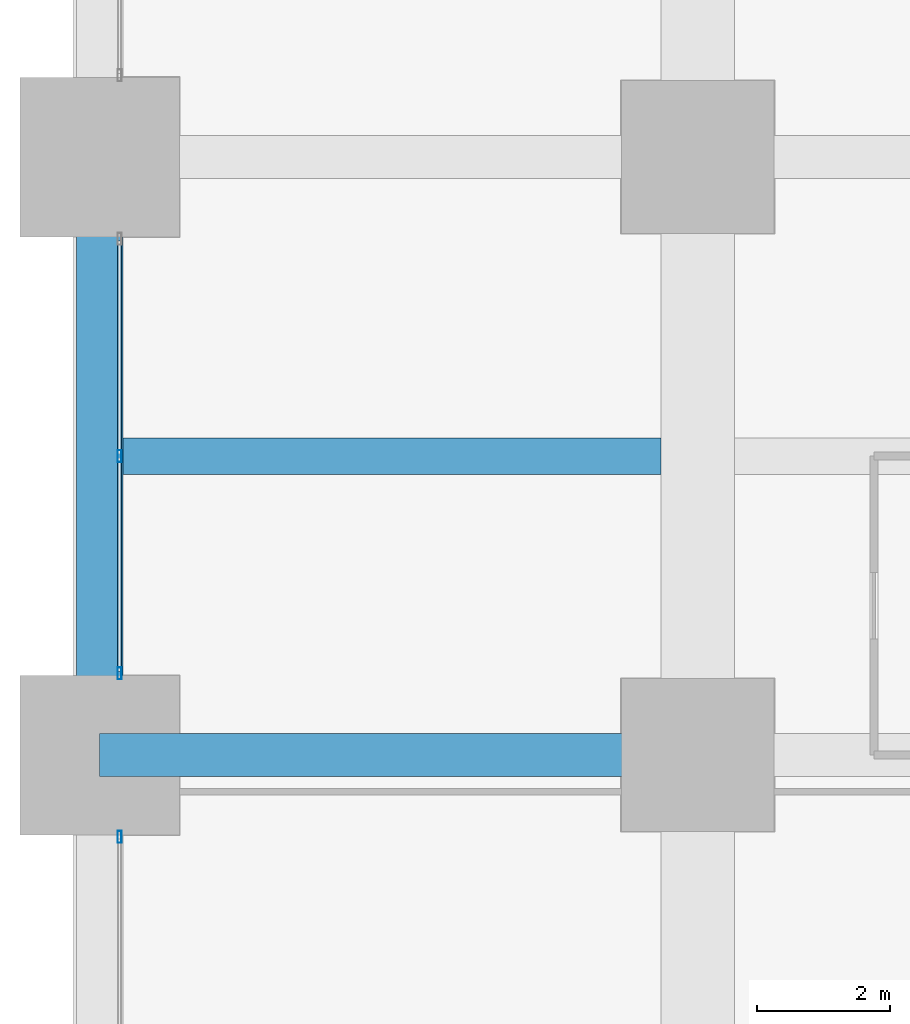
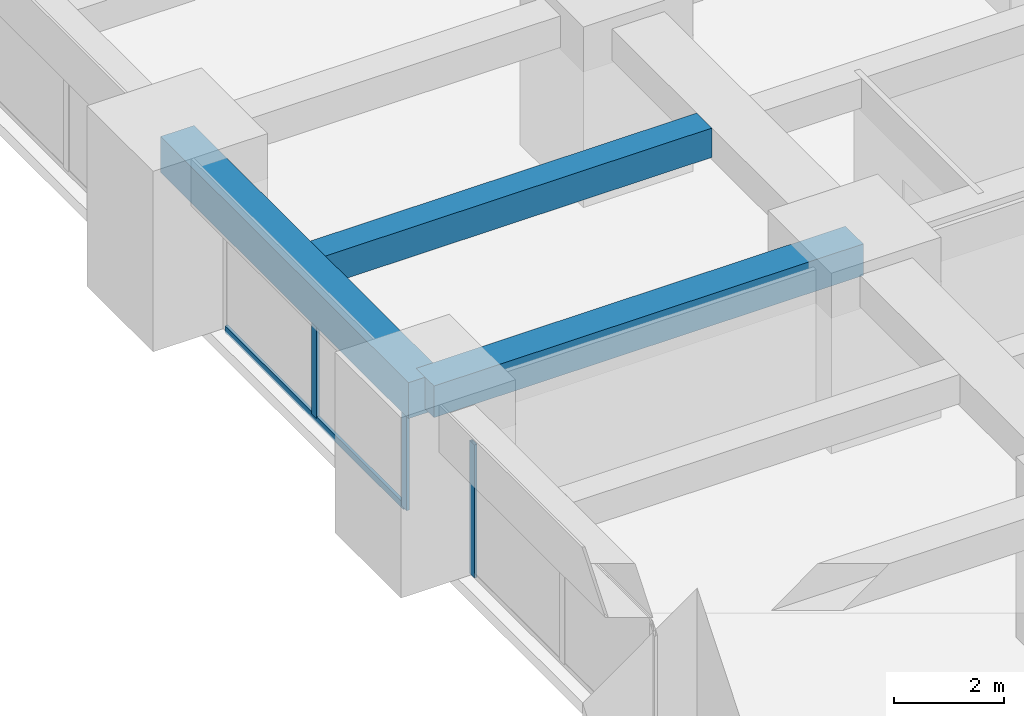
# One storey, part 9 of 45: 4 members, 3 beams, 2 elements without a shape of their own.
"""IFC4 building model written with IfcOpenShell, lengths in metres."""

from ifc_helpers import new_model, si_unit, direction, frame, origin, origin_2d, place, context, subcontext, project, spatial, rectangle, hollow_rectangle, extrude, material, material_profile, profile_set, type_object, element, aggregate, save


model = new_model("IFC4")

# Units and contexts
model_context = context("Model", 3, precision=1e-05, world=origin(), true_north=direction((0.0, 1.0)))
body_context = subcontext(model_context, "Body", "Model", "MODEL_VIEW")
ifc_project = project(units=[si_unit("LENGTHUNIT", "METRE"), si_unit("AREAUNIT", "SQUARE_METRE"), si_unit("VOLUMEUNIT", "CUBIC_METRE"), si_unit("PLANEANGLEUNIT", "RADIAN"), si_unit("MASSUNIT", "GRAM", prefix="KILO")], contexts=[model_context])

# Site, building, storey
site_placement = place(None, origin())
site = spatial("IfcSite", under=ifc_project, at=site_placement, CompositionType="ELEMENT")
building_placement = place(site_placement, origin())
building = spatial("IfcBuilding", under=site, at=building_placement, Name="Zorevar Civic Tower", CompositionType="ELEMENT")
storey_placement = place(building_placement, frame((0.0, 0.0, 47.800048828125)))
storey = spatial("IfcBuildingStorey", under=building, at=storey_placement, Name="L11", CompositionType="ELEMENT", Elevation=47.800048828125)

# Beams
ifc_material_1 = material(Name="Concrete C50/60", Category="concrete")
ifc_material_profile_1 = material_profile(ifc_material_1, rectangle(XDim=0.550048828125, YDim=0.64990234375, at=origin_2d()), Name="RC 550x650")
ifc_profile_set_1 = profile_set([ifc_material_profile_1], Name="Concrete C50/60")
beam_type_1 = type_object("IfcBeamType", Name="Beam RC 550x650", PredefinedType="BEAM", material=ifc_profile_set_1)
beam_1_placement = place(storey_placement, frame((0.35009765625, 22.5, 3.425048828125), z_axis=(1.0, 0.0, 0.0), x_axis=(0.0, 1.0, 0.0)))
element("IfcBeam", 1, at=beam_1_placement, inside=storey, type_object=beam_type_1, Name="Secondary beam L12", PredefinedType="BEAM", context=body_context, shape_type="SweptSolid", body=[
    extrude(rectangle(XDim=0.550048828125, YDim=0.64990234375, at=origin_2d()), origin(), (0.0, 0.0, 1.0), 8.099853515625),
])
ifc_material_2 = material(Name="Concrete C50/60", Category="concrete")
ifc_material_profile_2 = material_profile(ifc_material_2, rectangle(XDim=0.64990234375, YDim=0.699951171875, at=origin_2d()), Name="RC 650x700")
ifc_profile_set_2 = profile_set([ifc_material_profile_2], Name="Concrete C50/60")
beam_type_2 = type_object("IfcBeamType", Name="Beam RC 650x700", PredefinedType="BEAM", material=ifc_profile_set_2)
beam_2_placement = place(storey_placement, frame((0.0, 18.0, 3.39990234375), z_axis=(1.0, 0.0, 0.0), x_axis=(0.0, 1.0, 0.0)))
element("IfcBeam", 2, at=beam_2_placement, inside=storey, type_object=beam_type_2, Name="Girder L12", PredefinedType="BEAM", context=body_context, shape_type="SweptSolid", body=[
    extrude(rectangle(XDim=0.64990234375, YDim=0.699951171875, at=origin_2d()), origin(), (0.0, 0.0, 1.0), 9.0),
])

# Curtain wall, member
ifc_material_3 = material(Name="Dark grey solar-control glass in black aluminium frame", Category="aluminium")
curtain_wall_type = type_object("IfcCurtainWallType", Name="Curtain wall CW2 low zone", PredefinedType="NOTDEFINED", material=ifc_material_3)
curtain_wall_1_placement = place(storey_placement, origin())
curtain_wall_1 = element("IfcCurtainWall", 3, at=curtain_wall_1_placement, inside=storey, type_object=curtain_wall_type, Name="CW2 L11", PredefinedType="NOTDEFINED")
ifc_material_4 = material(Name="Aluminium, black anodised", Category="aluminium")
ifc_material_profile_3 = material_profile(ifc_material_4, hollow_rectangle(XDim=0.06005859375, YDim=0.179931640625, WallThickness=0.00390625, at=origin_2d()), Name="AL 180x60x4")
ifc_profile_set_3 = profile_set([ifc_material_profile_3], Name="Aluminium, black anodised")
member_type_1 = type_object("IfcMemberType", Name="CW2 mullion AL 180x60x4", PredefinedType="MULLION", material=ifc_profile_set_3)
member_1_placement = place(storey_placement, frame((0.300048828125, 16.77001953125, 0.0), z_axis=(0.0, 0.0, 1.0), x_axis=(-1.0, 0.0, 0.0)))
member_1 = element("IfcMember", 4, at=member_1_placement, type_object=member_type_1, Name="CW2 mullion 3", PredefinedType="MULLION", context=body_context, shape_type="SweptSolid", body=[
    extrude(hollow_rectangle(XDim=0.06005859375, YDim=0.179931640625, WallThickness=0.00390625, at=origin_2d()), origin(), (0.0, 0.0, 1.0), 2.949951171875),
])
aggregate(curtain_wall_1, [member_1])

# Curtain wall, members
curtain_wall_2_placement = place(storey_placement, origin())
curtain_wall_2 = element("IfcCurtainWall", 5, at=curtain_wall_2_placement, inside=storey, type_object=curtain_wall_type, Name="CW2 L11", PredefinedType="NOTDEFINED")
member_2_placement = place(storey_placement, frame((0.300048828125, 19.22998046875, 0.0), z_axis=(0.0, 0.0, 1.0), x_axis=(-1.0, 0.0, 0.0)))
member_2 = element("IfcMember", 6, at=member_2_placement, type_object=member_type_1, Name="CW2 mullion 1", PredefinedType="MULLION", context=body_context, shape_type="SweptSolid", body=[
    extrude(hollow_rectangle(XDim=0.06005859375, YDim=0.179931640625, WallThickness=0.00390625, at=origin_2d()), origin(), (0.0, 0.0, 1.0), 2.949951171875),
])
member_3_placement = place(storey_placement, frame((0.300048828125, 22.5, 0.06005859375), z_axis=(0.0, 0.0, 1.0), x_axis=(-1.0, 0.0, 0.0)))
member_3 = element("IfcMember", 7, at=member_3_placement, type_object=member_type_1, Name="CW2 mullion 2", PredefinedType="MULLION", context=body_context, shape_type="SweptSolid", body=[
    extrude(hollow_rectangle(XDim=0.06005859375, YDim=0.179931640625, WallThickness=0.00390625, at=origin_2d()), origin(), (0.0, 0.0, 1.0), 2.889892578125),
])
ifc_material_5 = material(Name="Aluminium, black anodised", Category="aluminium")
ifc_material_profile_4 = material_profile(ifc_material_5, hollow_rectangle(XDim=0.06005859375, YDim=0.14990234375, WallThickness=0.00390625, at=origin_2d()), Name="AL 150x60x4")
ifc_profile_set_4 = profile_set([ifc_material_profile_4], Name="Aluminium, black anodised")
member_type_2 = type_object("IfcMemberType", Name="CW2 transom AL 150x60x4", PredefinedType="USERDEFINED", material=ifc_profile_set_4)
member_4_placement = place(storey_placement, frame((0.300048828125, 19.260009765625, 0.030029296875), z_axis=(0.0, 1.0, 0.0), x_axis=(-1.0, 0.0, 0.0)))
member_4 = element("IfcMember", 8, at=member_4_placement, type_object=member_type_2, Name="CW2 sill transom", ObjectType="TRANSOM", PredefinedType="USERDEFINED", context=body_context, shape_type="SweptSolid", body=[
    extrude(hollow_rectangle(XDim=0.06005859375, YDim=0.14990234375, WallThickness=0.00390625, at=origin_2d()), origin(), (0.0, 0.0, 1.0), 6.47998046875),
])
aggregate(curtain_wall_2, [member_2, member_3, member_4])

# Beam
ifc_material_6 = material(Name="Concrete C50/60", Category="concrete")
ifc_material_profile_5 = material_profile(ifc_material_6, rectangle(XDim=0.699951171875, YDim=0.800048828125, at=origin_2d()), Name="RC 700x800")
ifc_profile_set_5 = profile_set([ifc_material_profile_5], Name="Concrete C50/60")
beam_type_3 = type_object("IfcBeamType", Name="Edge beam RC 700x800", PredefinedType="SPANDREL", material=ifc_profile_set_5)
beam_3_placement = place(storey_placement, frame((0.0, 18.0, 3.349853515625), z_axis=(0.0, 1.0, 0.0), x_axis=(-1.0, 0.0, 0.0)))
element("IfcBeam", 9, at=beam_3_placement, inside=storey, type_object=beam_type_3, Name="Edge beam L12", PredefinedType="SPANDREL", context=body_context, shape_type="SweptSolid", body=[
    extrude(rectangle(XDim=0.699951171875, YDim=0.800048828125, at=origin_2d()), origin(), (0.0, 0.0, 1.0), 9.0),
])

save(model, "model.ifc")
